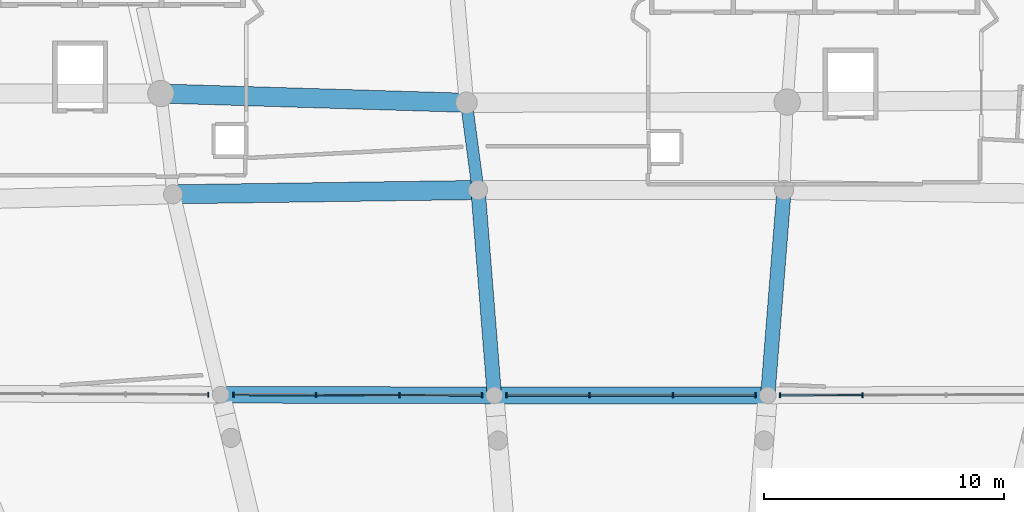
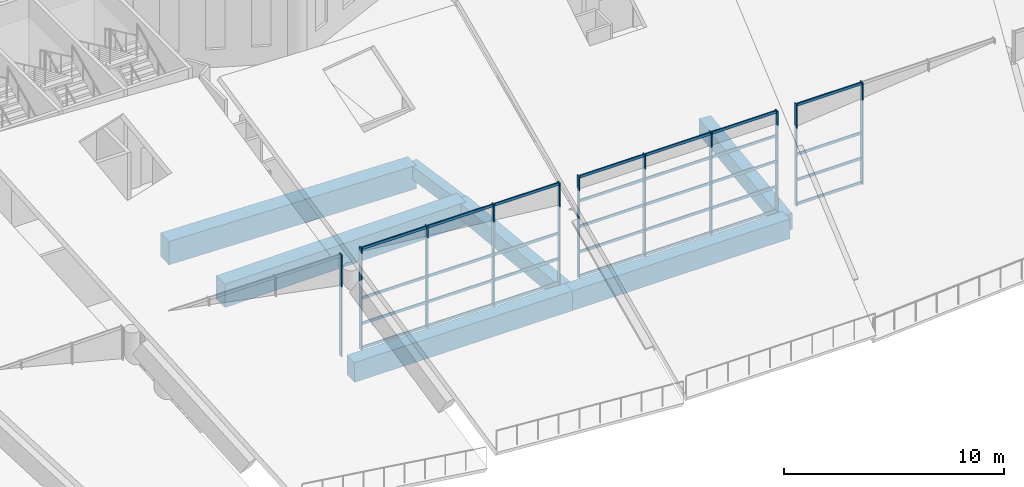
# One storey, part 70 of 249: 42 members, 7 beams, 4 elements without a shape of their own.
"""IFC4 building model written with IfcOpenShell, lengths in metres."""

from ifc_helpers import new_model, si_unit, direction, frame, origin, origin_2d, place, context, subcontext, project, spatial, rectangle, extrude, material, layer, layer_set, material_profile, profile_set, type_object, element, aggregate, save


model = new_model("IFC4")

# Units and contexts
model_context = context("Model", 3, precision=1e-05, world=origin(), true_north=direction((0.0, 1.0)))
body_context = subcontext(model_context, "Body", "Model", "MODEL_VIEW")
ifc_project = project(units=[si_unit("LENGTHUNIT", "METRE"), si_unit("AREAUNIT", "SQUARE_METRE"), si_unit("VOLUMEUNIT", "CUBIC_METRE"), si_unit("PLANEANGLEUNIT", "RADIAN"), si_unit("MASSUNIT", "GRAM", prefix="KILO")], contexts=[model_context])

# Site, building, storey
site_placement = place(None, origin())
site = spatial("IfcSite", under=ifc_project, at=site_placement, CompositionType="ELEMENT")
building_placement = place(site_placement, origin())
building = spatial("IfcBuilding", under=site, at=building_placement, Name="Meseta Stadium", CompositionType="ELEMENT")
storey_placement = place(building_placement, frame((0.0, 0.0, 12.0)))
storey = spatial("IfcBuildingStorey", under=building, at=storey_placement, Name="L02", CompositionType="ELEMENT", Elevation=12.0)

# Curtain wall, members
ifc_material_1 = material(Name="Aluminium", Category="aluminium")
ifc_layer = layer(ifc_material_1, 0.199951171875)
ifc_layer_set = layer_set([ifc_layer], Name="Suite glazing curtain wall")
curtain_wall_type = type_object("IfcCurtainWallType", Name="Suite glazing curtain wall", PredefinedType="NOTDEFINED", material=ifc_layer_set)
curtain_wall_1_placement = place(storey_placement, origin())
curtain_wall_1 = element("IfcCurtainWall", 1, at=curtain_wall_1_placement, inside=storey, type_object=curtain_wall_type, Name="Suite glazing bay 17", PredefinedType="NOTDEFINED")
ifc_material_2 = material(Name="Aluminium", Category="aluminium")
ifc_material_profile_1 = material_profile(ifc_material_2, rectangle(XDim=0.199951171875, YDim=0.06005859375, at=origin_2d()), Name="CW 200x60")
ifc_profile_set_1 = profile_set([ifc_material_profile_1], Name="Aluminium")
member_type_1 = type_object("IfcMemberType", Name="CW mullion 60x200", PredefinedType="MULLION", material=ifc_profile_set_1)
member_1_placement = place(storey_placement, frame((9.66943359375, 77.3134765625, 0.0), z_axis=(0.0, 0.0, 1.0), x_axis=(0.002485957037, -0.999996910004, 0.0)))
member_1 = element("IfcMember", 2, at=member_1_placement, type_object=member_type_1, Name="CWS mullion 3", PredefinedType="MULLION", context=body_context, shape_type="SweptSolid", body=[
    extrude(rectangle(XDim=0.199951171875, YDim=0.06005859375, at=origin_2d()), origin(), (0.0, 0.0, 1.0), 5.64990234375),
])
member_2_placement = place(storey_placement, frame((6.21728515625, 77.304931640625, 0.0), z_axis=(0.0, 0.0, 1.0), x_axis=(0.002485957037, -0.999996910004, 0.0)))
member_2 = element("IfcMember", 3, at=member_2_placement, type_object=member_type_1, Name="CWS mullion 4", PredefinedType="MULLION", context=body_context, shape_type="SweptSolid", body=[
    extrude(rectangle(XDim=0.199951171875, YDim=0.06005859375, at=origin_2d()), origin(), (0.0, 0.0, 1.0), 5.64990234375),
])

curtain_wall_2_placement = place(storey_placement, origin())
curtain_wall_2 = element("IfcCurtainWall", 4, at=curtain_wall_2_placement, inside=storey, type_object=curtain_wall_type, Name="Suite glazing bay 18", PredefinedType="NOTDEFINED")
member_3_placement = place(storey_placement, frame((5.1962890625, 77.3037109375, 0.0), z_axis=(0.0, 0.0, 1.0), x_axis=(0.0, -1.0, 0.0)))
member_3 = element("IfcMember", 5, at=member_3_placement, type_object=member_type_1, Name="CWS mullion 1", PredefinedType="MULLION", context=body_context, shape_type="SweptSolid", body=[
    extrude(rectangle(XDim=0.199951171875, YDim=0.06005859375, at=origin_2d()), origin(), (0.0, 0.0, 1.0), 5.64990234375),
])
member_4_placement = place(storey_placement, frame((1.7421875, 77.3037109375, 0.0), z_axis=(0.0, 0.0, 1.0), x_axis=(0.0, -1.0, 0.0)))
member_4 = element("IfcMember", 6, at=member_4_placement, type_object=member_type_1, Name="CWS mullion 2", PredefinedType="MULLION", context=body_context, shape_type="SweptSolid", body=[
    extrude(rectangle(XDim=0.199951171875, YDim=0.06005859375, at=origin_2d()), origin(), (0.0, 0.0, 1.0), 5.64990234375),
])
member_5_placement = place(storey_placement, frame((-1.7421875, 77.3037109375, 0.0), z_axis=(0.0, 0.0, 1.0), x_axis=(0.0, -1.0, 0.0)))
member_5 = element("IfcMember", 7, at=member_5_placement, type_object=member_type_1, Name="CWS mullion 3", PredefinedType="MULLION", context=body_context, shape_type="SweptSolid", body=[
    extrude(rectangle(XDim=0.199951171875, YDim=0.06005859375, at=origin_2d()), origin(), (0.0, 0.0, 1.0), 5.64990234375),
])
member_6_placement = place(storey_placement, frame((-5.1962890625, 77.3037109375, 0.0), z_axis=(0.0, 0.0, 1.0), x_axis=(0.0, -1.0, 0.0)))
member_6 = element("IfcMember", 8, at=member_6_placement, type_object=member_type_1, Name="CWS mullion 4", PredefinedType="MULLION", context=body_context, shape_type="SweptSolid", body=[
    extrude(rectangle(XDim=0.199951171875, YDim=0.06005859375, at=origin_2d()), origin(), (0.0, 0.0, 1.0), 5.64990234375),
])

curtain_wall_3_placement = place(storey_placement, origin())
curtain_wall_3 = element("IfcCurtainWall", 9, at=curtain_wall_3_placement, inside=storey, type_object=curtain_wall_type, Name="Suite glazing bay 19", PredefinedType="NOTDEFINED")
member_7_placement = place(storey_placement, frame((-6.21728515625, 77.304931640625, 0.0), z_axis=(0.0, 0.0, 1.0), x_axis=(-0.002485957037, -0.999996910004, 0.0)))
member_7 = element("IfcMember", 10, at=member_7_placement, type_object=member_type_1, Name="CWS mullion 1", PredefinedType="MULLION", context=body_context, shape_type="SweptSolid", body=[
    extrude(rectangle(XDim=0.199951171875, YDim=0.06005859375, at=origin_2d()), origin(), (0.0, 0.0, 1.0), 5.64990234375),
])
member_8_placement = place(storey_placement, frame((-9.66943359375, 77.3134765625, 0.0), z_axis=(0.0, 0.0, 1.0), x_axis=(-0.002485957037, -0.999996910004, 0.0)))
member_8 = element("IfcMember", 11, at=member_8_placement, type_object=member_type_1, Name="CWS mullion 2", PredefinedType="MULLION", context=body_context, shape_type="SweptSolid", body=[
    extrude(rectangle(XDim=0.199951171875, YDim=0.06005859375, at=origin_2d()), origin(), (0.0, 0.0, 1.0), 5.64990234375),
])
member_9_placement = place(storey_placement, frame((-13.15185546875, 77.322265625, 0.0), z_axis=(0.0, 0.0, 1.0), x_axis=(-0.002485957037, -0.999996910004, 0.0)))
member_9 = element("IfcMember", 12, at=member_9_placement, type_object=member_type_1, Name="CWS mullion 3", PredefinedType="MULLION", context=body_context, shape_type="SweptSolid", body=[
    extrude(rectangle(XDim=0.199951171875, YDim=0.06005859375, at=origin_2d()), origin(), (0.0, 0.0, 1.0), 5.64990234375),
])
member_10_placement = place(storey_placement, frame((-16.60400390625, 77.330810546875, 0.0), z_axis=(0.0, 0.0, 1.0), x_axis=(-0.002485957037, -0.999996910004, 0.0)))
member_10 = element("IfcMember", 13, at=member_10_placement, type_object=member_type_1, Name="CWS mullion 4", PredefinedType="MULLION", context=body_context, shape_type="SweptSolid", body=[
    extrude(rectangle(XDim=0.199951171875, YDim=0.06005859375, at=origin_2d()), origin(), (0.0, 0.0, 1.0), 5.64990234375),
])

# Curtain wall, member
curtain_wall_4_placement = place(storey_placement, origin())
curtain_wall_4 = element("IfcCurtainWall", 14, at=curtain_wall_4_placement, inside=storey, type_object=curtain_wall_type, Name="Suite glazing bay 20", PredefinedType="NOTDEFINED")
member_11_placement = place(storey_placement, frame((-17.6494140625, 77.33447265625, 0.0), z_axis=(0.0, 0.0, 1.0), x_axis=(-0.004468565348, -0.999990015912, 0.0)))
member_11 = element("IfcMember", 15, at=member_11_placement, type_object=member_type_1, Name="CWS mullion 1", PredefinedType="MULLION", context=body_context, shape_type="SweptSolid", body=[
    extrude(rectangle(XDim=0.199951171875, YDim=0.06005859375, at=origin_2d()), origin(), (0.0, 0.0, 1.0), 5.64990234375),
])
aggregate(curtain_wall_4, [member_11])

# Member
ifc_material_3 = material(Name="Aluminium", Category="aluminium")
ifc_material_profile_2 = material_profile(ifc_material_3, rectangle(XDim=0.06005859375, YDim=0.14990234375, at=origin_2d()), Name="CW 60x150")
ifc_profile_set_2 = profile_set([ifc_material_profile_2], Name="Aluminium")
member_type_2 = type_object("IfcMemberType", Name="CW transom 60x150", PredefinedType="USERDEFINED", material=ifc_profile_set_2)
member_12_placement = place(storey_placement, frame((9.639404296875, 77.3134765625, 0.074951171875), z_axis=(-0.999996827151, -0.002519064989, 0.0), x_axis=(0.002519064989, -0.999996827151, 0.0)))
member_12 = element("IfcMember", 16, at=member_12_placement, type_object=member_type_2, Name="CWS transom 3.1", ObjectType="TRANSOM", PredefinedType="USERDEFINED", context=body_context, shape_type="SweptSolid", body=[
    extrude(rectangle(XDim=0.06005859375, YDim=0.14990234375, at=origin_2d()), origin(), (0.0, 0.0, 1.0), 3.39208984375),
])

member_13_placement = place(storey_placement, frame((9.639404296875, 77.3134765625, 1.41259765625), z_axis=(-0.999996827151, -0.002519064989, 0.0), x_axis=(0.002519064989, -0.999996827151, 0.0)))
member_13 = element("IfcMember", 17, at=member_13_placement, type_object=member_type_2, Name="CWS transom 3.2", ObjectType="TRANSOM", PredefinedType="USERDEFINED", context=body_context, shape_type="SweptSolid", body=[
    extrude(rectangle(XDim=0.06005859375, YDim=0.14990234375, at=origin_2d()), origin(), (0.0, 0.0, 1.0), 3.39208984375),
])

member_14_placement = place(storey_placement, frame((9.639404296875, 77.3134765625, 2.824951171875), z_axis=(-0.999996827151, -0.002519064989, 0.0), x_axis=(0.002519064989, -0.999996827151, 0.0)))
member_14 = element("IfcMember", 18, at=member_14_placement, type_object=member_type_2, Name="CWS transom 3.3", ObjectType="TRANSOM", PredefinedType="USERDEFINED", context=body_context, shape_type="SweptSolid", body=[
    extrude(rectangle(XDim=0.06005859375, YDim=0.14990234375, at=origin_2d()), origin(), (0.0, 0.0, 1.0), 3.39208984375),
])

member_15_placement = place(storey_placement, frame((9.639404296875, 77.3134765625, 5.574951171875), z_axis=(-0.999996827151, -0.002519064989, 0.0), x_axis=(0.002519064989, -0.999996827151, 0.0)))
member_15 = element("IfcMember", 19, at=member_15_placement, type_object=member_type_2, Name="CWS transom 3.4", ObjectType="TRANSOM", PredefinedType="USERDEFINED", context=body_context, shape_type="SweptSolid", body=[
    extrude(rectangle(XDim=0.06005859375, YDim=0.14990234375, at=origin_2d()), origin(), (0.0, 0.0, 1.0), 3.39208984375),
])

aggregate(curtain_wall_1, [member_1, member_2, member_12, member_13, member_14, member_15])

member_16_placement = place(storey_placement, frame((5.166259765625, 77.3037109375, 0.074951171875), z_axis=(-1.0, 0.0, 0.0), x_axis=(0.0, -1.0, 0.0)))
member_16 = element("IfcMember", 20, at=member_16_placement, type_object=member_type_2, Name="CWS transom 1.1", ObjectType="TRANSOM", PredefinedType="USERDEFINED", context=body_context, shape_type="SweptSolid", body=[
    extrude(rectangle(XDim=0.06005859375, YDim=0.14990234375, at=origin_2d()), origin(), (0.0, 0.0, 1.0), 3.394287109375),
])

member_17_placement = place(storey_placement, frame((5.166259765625, 77.3037109375, 1.41259765625), z_axis=(-1.0, 0.0, 0.0), x_axis=(0.0, -1.0, 0.0)))
member_17 = element("IfcMember", 21, at=member_17_placement, type_object=member_type_2, Name="CWS transom 1.2", ObjectType="TRANSOM", PredefinedType="USERDEFINED", context=body_context, shape_type="SweptSolid", body=[
    extrude(rectangle(XDim=0.06005859375, YDim=0.14990234375, at=origin_2d()), origin(), (0.0, 0.0, 1.0), 3.394287109375),
])

member_18_placement = place(storey_placement, frame((5.166259765625, 77.3037109375, 2.824951171875), z_axis=(-1.0, 0.0, 0.0), x_axis=(0.0, -1.0, 0.0)))
member_18 = element("IfcMember", 22, at=member_18_placement, type_object=member_type_2, Name="CWS transom 1.3", ObjectType="TRANSOM", PredefinedType="USERDEFINED", context=body_context, shape_type="SweptSolid", body=[
    extrude(rectangle(XDim=0.06005859375, YDim=0.14990234375, at=origin_2d()), origin(), (0.0, 0.0, 1.0), 3.394287109375),
])

member_19_placement = place(storey_placement, frame((5.166259765625, 77.3037109375, 4.237548828125), z_axis=(-1.0, 0.0, 0.0), x_axis=(0.0, -1.0, 0.0)))
member_19 = element("IfcMember", 23, at=member_19_placement, type_object=member_type_2, Name="CWS transom 1.4", ObjectType="TRANSOM", PredefinedType="USERDEFINED", context=body_context, shape_type="SweptSolid", body=[
    extrude(rectangle(XDim=0.06005859375, YDim=0.14990234375, at=origin_2d()), origin(), (0.0, 0.0, 1.0), 3.394287109375),
])

member_20_placement = place(storey_placement, frame((5.166259765625, 77.3037109375, 5.574951171875), z_axis=(-1.0, 0.0, 0.0), x_axis=(0.0, -1.0, 0.0)))
member_20 = element("IfcMember", 24, at=member_20_placement, type_object=member_type_2, Name="CWS transom 1.5", ObjectType="TRANSOM", PredefinedType="USERDEFINED", context=body_context, shape_type="SweptSolid", body=[
    extrude(rectangle(XDim=0.06005859375, YDim=0.14990234375, at=origin_2d()), origin(), (0.0, 0.0, 1.0), 3.394287109375),
])

member_21_placement = place(storey_placement, frame((1.712158203125, 77.3037109375, 0.074951171875), z_axis=(-1.0, 0.0, 0.0), x_axis=(0.0, -1.0, 0.0)))
member_21 = element("IfcMember", 25, at=member_21_placement, type_object=member_type_2, Name="CWS transom 2.1", ObjectType="TRANSOM", PredefinedType="USERDEFINED", context=body_context, shape_type="SweptSolid", body=[
    extrude(rectangle(XDim=0.06005859375, YDim=0.14990234375, at=origin_2d()), origin(), (0.0, 0.0, 1.0), 3.42431640625),
])

member_22_placement = place(storey_placement, frame((1.712158203125, 77.3037109375, 1.41259765625), z_axis=(-1.0, 0.0, 0.0), x_axis=(0.0, -1.0, 0.0)))
member_22 = element("IfcMember", 26, at=member_22_placement, type_object=member_type_2, Name="CWS transom 2.2", ObjectType="TRANSOM", PredefinedType="USERDEFINED", context=body_context, shape_type="SweptSolid", body=[
    extrude(rectangle(XDim=0.06005859375, YDim=0.14990234375, at=origin_2d()), origin(), (0.0, 0.0, 1.0), 3.42431640625),
])

member_23_placement = place(storey_placement, frame((1.712158203125, 77.3037109375, 2.824951171875), z_axis=(-1.0, 0.0, 0.0), x_axis=(0.0, -1.0, 0.0)))
member_23 = element("IfcMember", 27, at=member_23_placement, type_object=member_type_2, Name="CWS transom 2.3", ObjectType="TRANSOM", PredefinedType="USERDEFINED", context=body_context, shape_type="SweptSolid", body=[
    extrude(rectangle(XDim=0.06005859375, YDim=0.14990234375, at=origin_2d()), origin(), (0.0, 0.0, 1.0), 3.42431640625),
])

member_24_placement = place(storey_placement, frame((1.712158203125, 77.3037109375, 4.237548828125), z_axis=(-1.0, 0.0, 0.0), x_axis=(0.0, -1.0, 0.0)))
member_24 = element("IfcMember", 28, at=member_24_placement, type_object=member_type_2, Name="CWS transom 2.4", ObjectType="TRANSOM", PredefinedType="USERDEFINED", context=body_context, shape_type="SweptSolid", body=[
    extrude(rectangle(XDim=0.06005859375, YDim=0.14990234375, at=origin_2d()), origin(), (0.0, 0.0, 1.0), 3.42431640625),
])

member_25_placement = place(storey_placement, frame((1.712158203125, 77.3037109375, 5.574951171875), z_axis=(-1.0, 0.0, 0.0), x_axis=(0.0, -1.0, 0.0)))
member_25 = element("IfcMember", 29, at=member_25_placement, type_object=member_type_2, Name="CWS transom 2.5", ObjectType="TRANSOM", PredefinedType="USERDEFINED", context=body_context, shape_type="SweptSolid", body=[
    extrude(rectangle(XDim=0.06005859375, YDim=0.14990234375, at=origin_2d()), origin(), (0.0, 0.0, 1.0), 3.42431640625),
])

member_26_placement = place(storey_placement, frame((-1.77197265625, 77.3037109375, 0.074951171875), z_axis=(-1.0, 0.0, 0.0), x_axis=(0.0, -1.0, 0.0)))
member_26 = element("IfcMember", 30, at=member_26_placement, type_object=member_type_2, Name="CWS transom 3.1", ObjectType="TRANSOM", PredefinedType="USERDEFINED", context=body_context, shape_type="SweptSolid", body=[
    extrude(rectangle(XDim=0.06005859375, YDim=0.14990234375, at=origin_2d()), origin(), (0.0, 0.0, 1.0), 3.394287109375),
])

member_27_placement = place(storey_placement, frame((-1.77197265625, 77.3037109375, 1.41259765625), z_axis=(-1.0, 0.0, 0.0), x_axis=(0.0, -1.0, 0.0)))
member_27 = element("IfcMember", 31, at=member_27_placement, type_object=member_type_2, Name="CWS transom 3.2", ObjectType="TRANSOM", PredefinedType="USERDEFINED", context=body_context, shape_type="SweptSolid", body=[
    extrude(rectangle(XDim=0.06005859375, YDim=0.14990234375, at=origin_2d()), origin(), (0.0, 0.0, 1.0), 3.394287109375),
])

member_28_placement = place(storey_placement, frame((-1.77197265625, 77.3037109375, 2.824951171875), z_axis=(-1.0, 0.0, 0.0), x_axis=(0.0, -1.0, 0.0)))
member_28 = element("IfcMember", 32, at=member_28_placement, type_object=member_type_2, Name="CWS transom 3.3", ObjectType="TRANSOM", PredefinedType="USERDEFINED", context=body_context, shape_type="SweptSolid", body=[
    extrude(rectangle(XDim=0.06005859375, YDim=0.14990234375, at=origin_2d()), origin(), (0.0, 0.0, 1.0), 3.394287109375),
])

member_29_placement = place(storey_placement, frame((-1.77197265625, 77.3037109375, 4.237548828125), z_axis=(-1.0, 0.0, 0.0), x_axis=(0.0, -1.0, 0.0)))
member_29 = element("IfcMember", 33, at=member_29_placement, type_object=member_type_2, Name="CWS transom 3.4", ObjectType="TRANSOM", PredefinedType="USERDEFINED", context=body_context, shape_type="SweptSolid", body=[
    extrude(rectangle(XDim=0.06005859375, YDim=0.14990234375, at=origin_2d()), origin(), (0.0, 0.0, 1.0), 3.394287109375),
])

member_30_placement = place(storey_placement, frame((-1.77197265625, 77.3037109375, 5.574951171875), z_axis=(-1.0, 0.0, 0.0), x_axis=(0.0, -1.0, 0.0)))
member_30 = element("IfcMember", 34, at=member_30_placement, type_object=member_type_2, Name="CWS transom 3.5", ObjectType="TRANSOM", PredefinedType="USERDEFINED", context=body_context, shape_type="SweptSolid", body=[
    extrude(rectangle(XDim=0.06005859375, YDim=0.14990234375, at=origin_2d()), origin(), (0.0, 0.0, 1.0), 3.394287109375),
])

aggregate(curtain_wall_2, [member_3, member_4, member_5, member_6, member_16, member_17, member_18, member_19, member_20, member_21, member_22, member_23, member_24, member_25, member_26, member_27, member_28, member_29, member_30])

member_31_placement = place(storey_placement, frame((-6.247314453125, 77.304931640625, 0.074951171875), z_axis=(-0.999996827151, 0.002519064989, 0.0), x_axis=(-0.002519064989, -0.999996827151, 0.0)))
member_31 = element("IfcMember", 35, at=member_31_placement, type_object=member_type_2, Name="CWS transom 1.1", ObjectType="TRANSOM", PredefinedType="USERDEFINED", context=body_context, shape_type="SweptSolid", body=[
    extrude(rectangle(XDim=0.06005859375, YDim=0.14990234375, at=origin_2d()), origin(), (0.0, 0.0, 1.0), 3.39208984375),
])

member_32_placement = place(storey_placement, frame((-6.247314453125, 77.304931640625, 1.41259765625), z_axis=(-0.999996827151, 0.002519064989, 0.0), x_axis=(-0.002519064989, -0.999996827151, 0.0)))
member_32 = element("IfcMember", 36, at=member_32_placement, type_object=member_type_2, Name="CWS transom 1.2", ObjectType="TRANSOM", PredefinedType="USERDEFINED", context=body_context, shape_type="SweptSolid", body=[
    extrude(rectangle(XDim=0.06005859375, YDim=0.14990234375, at=origin_2d()), origin(), (0.0, 0.0, 1.0), 3.39208984375),
])

member_33_placement = place(storey_placement, frame((-6.247314453125, 77.304931640625, 2.824951171875), z_axis=(-0.999996827151, 0.002519064989, 0.0), x_axis=(-0.002519064989, -0.999996827151, 0.0)))
member_33 = element("IfcMember", 37, at=member_33_placement, type_object=member_type_2, Name="CWS transom 1.3", ObjectType="TRANSOM", PredefinedType="USERDEFINED", context=body_context, shape_type="SweptSolid", body=[
    extrude(rectangle(XDim=0.06005859375, YDim=0.14990234375, at=origin_2d()), origin(), (0.0, 0.0, 1.0), 3.39208984375),
])

member_34_placement = place(storey_placement, frame((-6.247314453125, 77.304931640625, 5.574951171875), z_axis=(-0.999996827151, 0.002519064989, 0.0), x_axis=(-0.002519064989, -0.999996827151, 0.0)))
member_34 = element("IfcMember", 38, at=member_34_placement, type_object=member_type_2, Name="CWS transom 1.4", ObjectType="TRANSOM", PredefinedType="USERDEFINED", context=body_context, shape_type="SweptSolid", body=[
    extrude(rectangle(XDim=0.06005859375, YDim=0.14990234375, at=origin_2d()), origin(), (0.0, 0.0, 1.0), 3.39208984375),
])

member_35_placement = place(storey_placement, frame((-9.699462890625, 77.313720703125, 0.074951171875), z_axis=(-0.999997058602, 0.002425445855, 0.0), x_axis=(-0.002425445855, -0.999997058602, 0.0)))
member_35 = element("IfcMember", 39, at=member_35_placement, type_object=member_type_2, Name="CWS transom 2.1", ObjectType="TRANSOM", PredefinedType="USERDEFINED", context=body_context, shape_type="SweptSolid", body=[
    extrude(rectangle(XDim=0.06005859375, YDim=0.14990234375, at=origin_2d()), origin(), (0.0, 0.0, 1.0), 3.42236328125),
])

member_36_placement = place(storey_placement, frame((-9.699462890625, 77.313720703125, 1.41259765625), z_axis=(-0.999997058602, 0.002425445855, 0.0), x_axis=(-0.002425445855, -0.999997058602, 0.0)))
member_36 = element("IfcMember", 40, at=member_36_placement, type_object=member_type_2, Name="CWS transom 2.2", ObjectType="TRANSOM", PredefinedType="USERDEFINED", context=body_context, shape_type="SweptSolid", body=[
    extrude(rectangle(XDim=0.06005859375, YDim=0.14990234375, at=origin_2d()), origin(), (0.0, 0.0, 1.0), 3.42236328125),
])

member_37_placement = place(storey_placement, frame((-9.699462890625, 77.313720703125, 2.824951171875), z_axis=(-0.999997058602, 0.002425445855, 0.0), x_axis=(-0.002425445855, -0.999997058602, 0.0)))
member_37 = element("IfcMember", 41, at=member_37_placement, type_object=member_type_2, Name="CWS transom 2.3", ObjectType="TRANSOM", PredefinedType="USERDEFINED", context=body_context, shape_type="SweptSolid", body=[
    extrude(rectangle(XDim=0.06005859375, YDim=0.14990234375, at=origin_2d()), origin(), (0.0, 0.0, 1.0), 3.42236328125),
])

member_38_placement = place(storey_placement, frame((-9.699462890625, 77.313720703125, 5.574951171875), z_axis=(-0.999997058602, 0.002425445855, 0.0), x_axis=(-0.002425445855, -0.999997058602, 0.0)))
member_38 = element("IfcMember", 42, at=member_38_placement, type_object=member_type_2, Name="CWS transom 2.4", ObjectType="TRANSOM", PredefinedType="USERDEFINED", context=body_context, shape_type="SweptSolid", body=[
    extrude(rectangle(XDim=0.06005859375, YDim=0.14990234375, at=origin_2d()), origin(), (0.0, 0.0, 1.0), 3.42236328125),
])

member_39_placement = place(storey_placement, frame((-13.181884765625, 77.322265625, 0.074951171875), z_axis=(-0.999996827151, 0.002519064989, 0.0), x_axis=(-0.002519064989, -0.999996827151, 0.0)))
member_39 = element("IfcMember", 43, at=member_39_placement, type_object=member_type_2, Name="CWS transom 3.1", ObjectType="TRANSOM", PredefinedType="USERDEFINED", context=body_context, shape_type="SweptSolid", body=[
    extrude(rectangle(XDim=0.06005859375, YDim=0.14990234375, at=origin_2d()), origin(), (0.0, 0.0, 1.0), 3.39208984375),
])

member_40_placement = place(storey_placement, frame((-13.181884765625, 77.322265625, 1.41259765625), z_axis=(-0.999996827151, 0.002519064989, 0.0), x_axis=(-0.002519064989, -0.999996827151, 0.0)))
member_40 = element("IfcMember", 44, at=member_40_placement, type_object=member_type_2, Name="CWS transom 3.2", ObjectType="TRANSOM", PredefinedType="USERDEFINED", context=body_context, shape_type="SweptSolid", body=[
    extrude(rectangle(XDim=0.06005859375, YDim=0.14990234375, at=origin_2d()), origin(), (0.0, 0.0, 1.0), 3.39208984375),
])

member_41_placement = place(storey_placement, frame((-13.181884765625, 77.322265625, 2.824951171875), z_axis=(-0.999996827151, 0.002519064989, 0.0), x_axis=(-0.002519064989, -0.999996827151, 0.0)))
member_41 = element("IfcMember", 45, at=member_41_placement, type_object=member_type_2, Name="CWS transom 3.3", ObjectType="TRANSOM", PredefinedType="USERDEFINED", context=body_context, shape_type="SweptSolid", body=[
    extrude(rectangle(XDim=0.06005859375, YDim=0.14990234375, at=origin_2d()), origin(), (0.0, 0.0, 1.0), 3.39208984375),
])

member_42_placement = place(storey_placement, frame((-13.181884765625, 77.322265625, 5.574951171875), z_axis=(-0.999996827151, 0.002519064989, 0.0), x_axis=(-0.002519064989, -0.999996827151, 0.0)))
member_42 = element("IfcMember", 46, at=member_42_placement, type_object=member_type_2, Name="CWS transom 3.4", ObjectType="TRANSOM", PredefinedType="USERDEFINED", context=body_context, shape_type="SweptSolid", body=[
    extrude(rectangle(XDim=0.06005859375, YDim=0.14990234375, at=origin_2d()), origin(), (0.0, 0.0, 1.0), 3.39208984375),
])

aggregate(curtain_wall_3, [member_7, member_8, member_9, member_10, member_31, member_32, member_33, member_34, member_35, member_36, member_37, member_38, member_39, member_40, member_41, member_42])

# Beams
ifc_material_4 = material(Name="Concrete C40/50", Category="concrete")
ifc_material_profile_3 = material_profile(ifc_material_4, rectangle(XDim=0.5, YDim=0.75, at=origin_2d()), Name="RC 500x750")
ifc_profile_set_3 = profile_set([ifc_material_profile_3], Name="Concrete C40/50")
beam_type_1 = type_object("IfcBeamType", Name="RC beam 500x750", PredefinedType="BEAM", material=ifc_profile_set_3)
beam_1_placement = place(storey_placement, frame((-6.386962890625, 85.876708984375, -0.72509765625), z_axis=(-0.131671729661, 0.991293375146, 0.0), x_axis=(-0.991293375146, -0.131671729661, 0.0)))
element("IfcBeam", 47, at=beam_1_placement, inside=storey, type_object=beam_type_1, Name="L02 radial beam frame 19 line E to P", PredefinedType="BEAM", context=body_context, shape_type="SweptSolid", body=[
    extrude(rectangle(XDim=0.5, YDim=0.75, at=origin_2d()), origin(), (0.0, 0.0, 1.0), 3.673095703125),
])
ifc_material_5 = material(Name="Concrete C40/50", Category="concrete")
ifc_material_profile_4 = material_profile(ifc_material_5, rectangle(XDim=0.60009765625, YDim=0.89990234375, at=origin_2d()), Name="RC 600x900")
ifc_profile_set_4 = profile_set([ifc_material_profile_4], Name="Concrete C40/50")
beam_type_2 = type_object("IfcBeamType", Name="RC beam 600x900", PredefinedType="BEAM", material=ifc_profile_set_4)
for number, where, z_axis, x_axis, name in (
    (48, (5.70654296875, 77.3037109375, -0.800048828125), (0.079118987749, 0.996865179338, 0.0), (-0.996865179338, 0.079118987749, 0.0), "L02 radial beam frame 18 line D to E"),
    (49, (-5.70654296875, 77.3037109375, -0.800048828125), (-0.079118987749, 0.996865179338, 0.0), (-0.996865179338, -0.079118987749, 0.0), "L02 radial beam frame 19 line D to E"),
):
    element("IfcBeam", number, at=place(storey_placement, frame(where, z_axis=z_axis, x_axis=x_axis)), inside=storey, type_object=beam_type_2, Name=name, PredefinedType="BEAM", context=body_context, shape_type="SweptSolid", body=[
        extrude(rectangle(XDim=0.60009765625, YDim=0.89990234375, at=origin_2d()), origin(), (0.0, 0.0, 1.0), 8.599853515625),
    ])
ifc_material_6 = material(Name="Concrete C40/50", Category="concrete")
ifc_material_profile_5 = material_profile(ifc_material_6, rectangle(XDim=0.699951171875, YDim=1.10009765625, at=origin_2d()), Name="RC 700x1100")
ifc_profile_set_5 = profile_set([ifc_material_profile_5], Name="Concrete C40/50")
beam_type_3 = type_object("IfcBeamType", Name="RC beam 700x1100", PredefinedType="BEAM", material=ifc_profile_set_5)
beam_2_placement = place(storey_placement, frame((5.70654296875, 77.3037109375, -0.89990234375), z_axis=(-1.0, 0.0, 0.0), x_axis=(0.0, -1.0, 0.0)))
element("IfcBeam", 50, at=beam_2_placement, inside=storey, type_object=beam_type_3, Name="L02 ring beam frame 18 line D", PredefinedType="BEAM", context=body_context, shape_type="SweptSolid", body=[
    extrude(rectangle(XDim=0.699951171875, YDim=1.10009765625, at=origin_2d()), origin(), (0.0, 0.0, 1.0), 11.4130859375),
])
beam_3_placement = place(storey_placement, frame((-5.70654296875, 77.3037109375, -0.89990234375), z_axis=(-0.999996925183, 0.002479843584, 0.0), x_axis=(-0.002479843584, -0.999996925183, 0.0)))
element("IfcBeam", 51, at=beam_3_placement, inside=storey, type_object=beam_type_3, Name="L02 ring beam frame 19 line D", PredefinedType="BEAM", context=body_context, shape_type="SweptSolid", body=[
    extrude(rectangle(XDim=0.699951171875, YDim=1.10009765625, at=origin_2d()), origin(), (0.0, 0.0, 1.0), 11.420166015625),
])
ifc_material_7 = material(Name="Concrete C40/50", Category="concrete")
ifc_material_profile_6 = material_profile(ifc_material_7, rectangle(XDim=0.800048828125, YDim=1.300048828125, at=origin_2d()), Name="RC 800x1300")
ifc_profile_set_6 = profile_set([ifc_material_profile_6], Name="Concrete C40/50")
beam_type_4 = type_object("IfcBeamType", Name="RC beam 800x1300", PredefinedType="BEAM", material=ifc_profile_set_6)
beam_4_placement = place(storey_placement, frame((-6.386962890625, 85.876708984375, -1.0), z_axis=(-0.999901768948, -0.014016149746, 0.0), x_axis=(0.014016149746, -0.999901768948, 0.0)))
element("IfcBeam", 52, at=beam_4_placement, inside=storey, type_object=beam_type_4, Name="L02 ring beam frame 19 line E", PredefinedType="BEAM", context=body_context, shape_type="SweptSolid", body=[
    extrude(rectangle(XDim=0.800048828125, YDim=1.300048828125, at=origin_2d()), origin(), (0.0, 0.0, 1.0), 12.73291015625),
])
beam_5_placement = place(storey_placement, frame((-6.87060546875, 89.517822265625, -1.0), z_axis=(-0.999542564532, 0.030243374311, 0.0), x_axis=(-0.030243374311, -0.999542564532, 0.0)))
element("IfcBeam", 53, at=beam_5_placement, inside=storey, type_object=beam_type_4, Name="L02 ring beam frame 19 line P", PredefinedType="BEAM", context=body_context, shape_type="SweptSolid", body=[
    extrude(rectangle(XDim=0.800048828125, YDim=1.300048828125, at=origin_2d()), origin(), (0.0, 0.0, 1.0), 12.7626953125),
])

save(model, "model.ifc")
